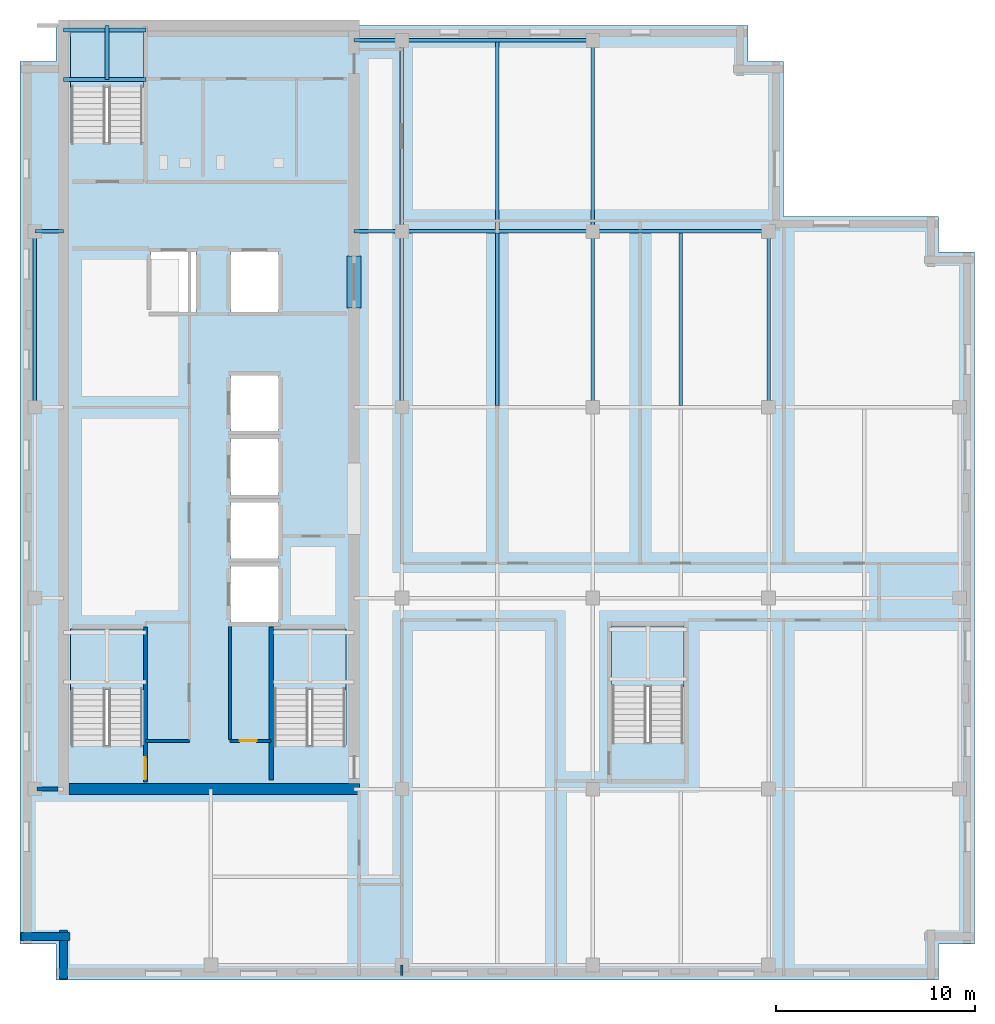
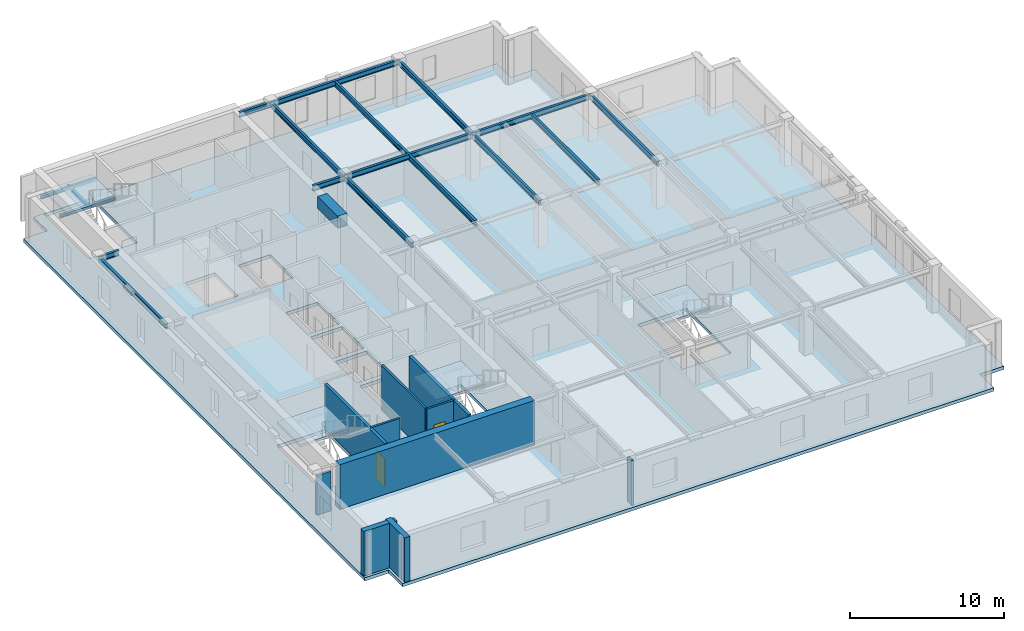
# One storey, part 2 of 11: 19 beams, 10 walls, 5 slabs, 2 doors, 2 openings, 4 elements without a shape of their own.
"""IFC4 building model written with IfcOpenShell, lengths in metres."""

from ifc_helpers import new_model, si_unit, direction, frame, frame_2d, origin, origin_2d, place, context, subcontext, project, spatial, polyline, rectangle, i_section, outline, extrude, material, layer, layer_set, material_profile, profile_set, type_object, element, fill, aggregate, save


model = new_model("IFC4")

# Units and contexts
model_context = context("Model", 3, precision=1e-05, world=origin(), true_north=direction((0.0, 1.0)))
body_context = subcontext(model_context, "Body", "Model", "MODEL_VIEW")
ifc_project = project(units=[si_unit("LENGTHUNIT", "METRE"), si_unit("AREAUNIT", "SQUARE_METRE"), si_unit("VOLUMEUNIT", "CUBIC_METRE"), si_unit("PLANEANGLEUNIT", "RADIAN"), si_unit("MASSUNIT", "GRAM", prefix="KILO")], contexts=[model_context])

# Site, building, storey
site_placement = place(None, origin())
site = spatial("IfcSite", under=ifc_project, at=site_placement, CompositionType="ELEMENT")
building_placement = place(site_placement, origin())
building = spatial("IfcBuilding", under=site, at=building_placement, Name="Norrvale University Quadrangle", CompositionType="ELEMENT")
storey_placement = place(building_placement, frame((0.0, 0.0, 284.800048828125)))
storey = spatial("IfcBuildingStorey", under=building, at=storey_placement, Name="L72", CompositionType="ELEMENT", Elevation=284.800048828125)

# Beams
ifc_material_1 = material(Name="Steel 350W", Category="steel")
ifc_material_profile_1 = material_profile(ifc_material_1, i_section(OverallWidth=0.180908203125, OverallDepth=0.4169921875, WebThickness=0.010986328125, FlangeThickness=0.018310546875, FilletRadius=0.011962890625, at=origin_2d()), Name="Steel 350W")
ifc_profile_set_1 = profile_set([ifc_material_profile_1], Name="Steel 350W")
beam_type_1 = type_object("IfcBeamType", Name="Beam Atrium W410x85", PredefinedType="BEAM", material=ifc_profile_set_1)
beam_1_placement = place(storey_placement, frame((19.199951171875, 37.64990234375, 3.33154296875), z_axis=(1.0, 0.0, 0.0), x_axis=(0.0, 1.0, 0.0)))
element("IfcBeam", 1, at=beam_1_placement, inside=storey, type_object=beam_type_1, Name="Beam Atrium W410x85 BM-L72-GX013", PredefinedType="BEAM", context=body_context, shape_type="SweptSolid", body=[
    extrude(i_section(OverallWidth=0.180908203125, OverallDepth=0.4169921875, WebThickness=0.010986328125, FlangeThickness=0.018310546875, FilletRadius=0.011962890625, at=origin_2d()), origin(), (0.0, 0.0, 1.0), 9.60009765625),
])
beam_2_placement = place(storey_placement, frame((28.800048828125, 37.64990234375, 3.33154296875), z_axis=(1.0, 0.0, 0.0), x_axis=(0.0, 1.0, 0.0)))
element("IfcBeam", 2, at=beam_2_placement, inside=storey, type_object=beam_type_1, Name="Beam Atrium W410x85 BM-L72-GX014", PredefinedType="BEAM", context=body_context, shape_type="SweptSolid", body=[
    extrude(i_section(OverallWidth=0.180908203125, OverallDepth=0.4169921875, WebThickness=0.010986328125, FlangeThickness=0.018310546875, FilletRadius=0.011962890625, at=origin_2d()), origin(), (0.0, 0.0, 1.0), 8.849853515625),
])
beam_3_placement = place(storey_placement, frame((19.199951171875, 47.25, 3.33154296875), z_axis=(1.0, 0.0, 0.0), x_axis=(0.0, 1.0, 0.0)))
element("IfcBeam", 3, at=beam_3_placement, inside=storey, type_object=beam_type_1, Name="Beam Atrium W410x85 BM-L72-GX015", PredefinedType="BEAM", context=body_context, shape_type="SweptSolid", body=[
    extrude(i_section(OverallWidth=0.180908203125, OverallDepth=0.4169921875, WebThickness=0.010986328125, FlangeThickness=0.018310546875, FilletRadius=0.011962890625, at=origin_2d()), origin(), (0.0, 0.0, 1.0), 9.60009765625),
])
for number, where, z_axis, x_axis, name in (
    (4, (0.75, 28.800048828125, 3.33154296875), (0.0, 1.0, 0.0), (-1.0, 0.0, 0.0), "Beam Atrium W410x85 BM-L72-GY018"),
    (5, (19.199951171875, 28.800048828125, 3.33154296875), (0.0, 1.0, 0.0), (-1.0, 0.0, 0.0), "Beam Atrium W410x85 BM-L72-GY022"),
):
    element("IfcBeam", number, at=place(storey_placement, frame(where, z_axis=z_axis, x_axis=x_axis)), inside=storey, type_object=beam_type_1, Name=name, PredefinedType="BEAM", context=body_context, shape_type="SweptSolid", body=[
        extrude(i_section(OverallWidth=0.180908203125, OverallDepth=0.4169921875, WebThickness=0.010986328125, FlangeThickness=0.018310546875, FilletRadius=0.011962890625, at=origin_2d()), origin(), (0.0, 0.0, 1.0), 8.849853515625),
    ])
beam_4_placement = place(storey_placement, frame((19.199951171875, 37.64990234375, 3.33154296875), z_axis=(0.0, 1.0, 0.0), x_axis=(-1.0, 0.0, 0.0)))
element("IfcBeam", 6, at=beam_4_placement, inside=storey, type_object=beam_type_1, Name="Beam Atrium W410x85 BM-L72-GY023", PredefinedType="BEAM", context=body_context, shape_type="SweptSolid", body=[
    extrude(i_section(OverallWidth=0.180908203125, OverallDepth=0.4169921875, WebThickness=0.010986328125, FlangeThickness=0.018310546875, FilletRadius=0.011962890625, at=origin_2d()), origin(), (0.0, 0.0, 1.0), 9.60009765625),
])
beam_5_placement = place(storey_placement, frame((28.800048828125, 28.800048828125, 3.33154296875), z_axis=(0.0, 1.0, 0.0), x_axis=(-1.0, 0.0, 0.0)))
element("IfcBeam", 7, at=beam_5_placement, inside=storey, type_object=beam_type_1, Name="Beam Atrium W410x85 BM-L72-GY027", PredefinedType="BEAM", context=body_context, shape_type="SweptSolid", body=[
    extrude(i_section(OverallWidth=0.180908203125, OverallDepth=0.4169921875, WebThickness=0.010986328125, FlangeThickness=0.018310546875, FilletRadius=0.011962890625, at=origin_2d()), origin(), (0.0, 0.0, 1.0), 8.849853515625),
])
beam_6_placement = place(storey_placement, frame((28.800048828125, 37.64990234375, 3.33154296875), z_axis=(0.0, 1.0, 0.0), x_axis=(-1.0, 0.0, 0.0)))
element("IfcBeam", 8, at=beam_6_placement, inside=storey, type_object=beam_type_1, Name="Beam Atrium W410x85 BM-L72-GY028", PredefinedType="BEAM", context=body_context, shape_type="SweptSolid", body=[
    extrude(i_section(OverallWidth=0.180908203125, OverallDepth=0.4169921875, WebThickness=0.010986328125, FlangeThickness=0.018310546875, FilletRadius=0.011962890625, at=origin_2d()), origin(), (0.0, 0.0, 1.0), 9.60009765625),
])
beam_7_placement = place(storey_placement, frame((37.64990234375, 28.800048828125, 3.33154296875), z_axis=(0.0, 1.0, 0.0), x_axis=(-1.0, 0.0, 0.0)))
element("IfcBeam", 9, at=beam_7_placement, inside=storey, type_object=beam_type_1, Name="Beam Atrium W410x85 BM-L72-GY032", PredefinedType="BEAM", context=body_context, shape_type="SweptSolid", body=[
    extrude(i_section(OverallWidth=0.180908203125, OverallDepth=0.4169921875, WebThickness=0.010986328125, FlangeThickness=0.018310546875, FilletRadius=0.011962890625, at=origin_2d()), origin(), (0.0, 0.0, 1.0), 8.849853515625),
])
beam_8_placement = place(storey_placement, frame((0.75, 37.64990234375, 3.33154296875), z_axis=(1.0, 0.0, 0.0), x_axis=(0.0, 1.0, 0.0)))
element("IfcBeam", 10, at=beam_8_placement, inside=storey, type_object=beam_type_1, Name="Beam Atrium W410x85 BM-L72-GCW041", PredefinedType="BEAM", context=body_context, shape_type="SweptSolid", body=[
    extrude(i_section(OverallWidth=0.180908203125, OverallDepth=0.4169921875, WebThickness=0.010986328125, FlangeThickness=0.018310546875, FilletRadius=0.011962890625, at=origin_2d()), origin(), (0.0, 0.0, 1.0), 1.449951171875),
])
for number, where, z_axis, x_axis, name in (
    (11, (16.800048828125, 37.64990234375, 3.33154296875), (1.0, 0.0, 0.0), (0.0, 1.0, 0.0), "Beam Atrium W410x85 BM-L72-GCE042"),
    (12, (16.800048828125, 47.25, 3.33154296875), (1.0, 0.0, 0.0), (0.0, 1.0, 0.0), "Beam Atrium W410x85 BM-L72-GCE043"),
):
    element("IfcBeam", number, at=place(storey_placement, frame(where, z_axis=z_axis, x_axis=x_axis)), inside=storey, type_object=beam_type_1, Name=name, PredefinedType="BEAM", context=body_context, shape_type="SweptSolid", body=[
        extrude(i_section(OverallWidth=0.180908203125, OverallDepth=0.4169921875, WebThickness=0.010986328125, FlangeThickness=0.018310546875, FilletRadius=0.011962890625, at=origin_2d()), origin(), (0.0, 0.0, 1.0), 2.39990234375),
    ])
ifc_material_2 = material(Name="Concrete C80/95", Category="concrete")
ifc_material_profile_2 = material_profile(ifc_material_2, rectangle(XDim=0.699951171875, YDim=0.949951171875, at=origin_2d()), Name="Concrete C80/95")
ifc_profile_set_2 = profile_set([ifc_material_profile_2], Name="Concrete C80/95")
beam_type_2 = type_object("IfcBeamType", Name="Beam Core Link 700x950", PredefinedType="LINTEL", material=ifc_profile_set_2)
beam_9_placement = place(storey_placement, frame((16.800048828125, 33.800048828125, 3.06494140625), z_axis=(0.0, 1.0, 0.0), x_axis=(-1.0, 0.0, 0.0)))
element("IfcBeam", 13, at=beam_9_placement, inside=storey, type_object=beam_type_2, Name="Core Coupling Lintel Beam L72-2", PredefinedType="LINTEL", context=body_context, shape_type="SweptSolid", body=[
    extrude(rectangle(XDim=0.699951171875, YDim=0.949951171875, at=origin_2d()), origin(), (0.0, 0.0, 1.0), 2.599853515625),
])
ifc_material_profile_3 = material_profile(ifc_material_1, i_section(OverallWidth=0.177978515625, OverallDepth=0.406982421875, WebThickness=0.0078125, FlangeThickness=0.0126953125, FilletRadius=0.011962890625, at=origin_2d()), Name="Steel 350W")
ifc_profile_set_3 = profile_set([ifc_material_profile_3], Name="Steel 350W")
beam_type_3 = type_object("IfcBeamType", Name="Beam Roof Purlin W410x60", PredefinedType="USERDEFINED", material=ifc_profile_set_3)
beam_10_placement = place(storey_placement, frame((24.0, 28.890380859375, 3.33642578125), z_axis=(0.0, 1.0, 0.0), x_axis=(-1.0, 0.0, 0.0)))
element("IfcBeam", 14, at=beam_10_placement, inside=storey, type_object=beam_type_3, Name="Beam Roof Purlin W410x60 BM-L72-J047", ObjectType="PURLIN", PredefinedType="USERDEFINED", context=body_context, shape_type="SweptSolid", body=[
    extrude(i_section(OverallWidth=0.177978515625, OverallDepth=0.406982421875, WebThickness=0.0078125, FlangeThickness=0.0126953125, FilletRadius=0.011962890625, at=origin_2d()), origin(), (0.0, 0.0, 1.0), 8.669189453125),
])
beam_11_placement = place(storey_placement, frame((24.0, 37.740478515625, 3.33642578125), z_axis=(0.0, 1.0, 0.0), x_axis=(-1.0, 0.0, 0.0)))
element("IfcBeam", 15, at=beam_11_placement, inside=storey, type_object=beam_type_3, Name="Beam Roof Purlin W410x60 BM-L72-J048", ObjectType="PURLIN", PredefinedType="USERDEFINED", context=body_context, shape_type="SweptSolid", body=[
    extrude(i_section(OverallWidth=0.177978515625, OverallDepth=0.406982421875, WebThickness=0.0078125, FlangeThickness=0.0126953125, FilletRadius=0.011962890625, at=origin_2d()), origin(), (0.0, 0.0, 1.0), 9.4189453125),
])
beam_12_placement = place(storey_placement, frame((33.22509765625, 28.890380859375, 3.33642578125), z_axis=(0.0, 1.0, 0.0), x_axis=(-1.0, 0.0, 0.0)))
element("IfcBeam", 16, at=beam_12_placement, inside=storey, type_object=beam_type_3, Name="Beam Roof Purlin W410x60 BM-L72-J051", ObjectType="PURLIN", PredefinedType="USERDEFINED", context=body_context, shape_type="SweptSolid", body=[
    extrude(i_section(OverallWidth=0.177978515625, OverallDepth=0.406982421875, WebThickness=0.0078125, FlangeThickness=0.0126953125, FilletRadius=0.011962890625, at=origin_2d()), origin(), (0.0, 0.0, 1.0), 8.669189453125),
])
ifc_material_profile_4 = material_profile(ifc_material_1, i_section(OverallWidth=0.201904296875, OverallDepth=0.2470703125, WebThickness=0.00732421875, FlangeThickness=0.010986328125, FilletRadius=0.011962890625, at=origin_2d()), Name="Steel 350W")
ifc_profile_set_4 = profile_set([ifc_material_profile_4], Name="Steel 350W")
beam_type_4 = type_object("IfcBeamType", Name="Beam Stair W250x49", PredefinedType="BEAM", material=ifc_profile_set_4)
for number, where, z_axis, x_axis, name in (
    (17, (2.199951171875, 45.2900390625, 1.576416015625), (1.0, 0.0, 0.0), (0.0, 1.0, 0.0), "Stair Mid-Landing Front Beam ST-02 L72"),
    (18, (2.199951171875, 47.77001953125, 1.576416015625), (1.0, 0.0, 0.0), (0.0, 1.0, 0.0), "Stair Mid-Landing Rear Beam ST-02 L72"),
):
    element("IfcBeam", number, at=place(storey_placement, frame(where, z_axis=z_axis, x_axis=x_axis)), inside=storey, type_object=beam_type_4, Name=name, PredefinedType="BEAM", context=body_context, shape_type="SweptSolid", body=[
        extrude(i_section(OverallWidth=0.201904296875, OverallDepth=0.2470703125, WebThickness=0.00732421875, FlangeThickness=0.010986328125, FilletRadius=0.011962890625, at=origin_2d()), origin(), (0.0, 0.0, 1.0), 4.14013671875),
    ])
ifc_material_profile_5 = material_profile(ifc_material_1, i_section(OverallWidth=0.202880859375, OverallDepth=0.202880859375, WebThickness=0.007080078125, FlangeThickness=0.010986328125, FilletRadius=0.010009765625, at=origin_2d()), Name="Steel 350W")
ifc_profile_set_5 = profile_set([ifc_material_profile_5], Name="Steel 350W")
beam_type_5 = type_object("IfcBeamType", Name="Beam Trim W200x46", PredefinedType="BEAM", material=ifc_profile_set_5)
beam_13_placement = place(storey_placement, frame((4.375, 45.2900390625, 1.598388671875), z_axis=(0.0, 1.0, 0.0), x_axis=(-1.0, 0.0, 0.0)))
element("IfcBeam", 19, at=beam_13_placement, inside=storey, type_object=beam_type_5, Name="Stair Mid-Landing Cross Beam ST-02 L72", PredefinedType="BEAM", context=body_context, shape_type="SweptSolid", body=[
    extrude(i_section(OverallWidth=0.202880859375, OverallDepth=0.202880859375, WebThickness=0.007080078125, FlangeThickness=0.010986328125, FilletRadius=0.010009765625, at=origin_2d()), origin(), (0.0, 0.0, 1.0), 2.7099609375),
])

# Stair, slab
ifc_material_3 = material(Name="Concrete C40/50", Category="concrete")
stair_type = type_object("IfcStairType", Name="Stair Tower Typ 3800", PredefinedType="TWO_STRAIGHT_RUN_STAIR", material=ifc_material_3)
stair_1_placement = place(storey_placement, origin())
stair_1 = element("IfcStair", 20, at=stair_1_placement, inside=storey, type_object=stair_type, Name="Exit Stair ST-01 L72", PredefinedType="TWO_STRAIGHT_RUN_STAIR")
ifc_layer_1 = layer(ifc_material_3, 0.199951171875, Name="Concrete C40/50")
ifc_layer_set_1 = layer_set([ifc_layer_1], Name="Concrete C40/50")
slab_type_1 = type_object("IfcSlabType", Name="Slab Landing 200", PredefinedType="LANDING", material=ifc_layer_set_1)
slab_1_placement = place(storey_placement, frame((0.0, 0.0, 1.699951171875)))
slab_1 = element("IfcSlab", 21, at=slab_1_placement, type_object=slab_type_1, Name="Exit Stair ST-01 L72 Mid Landing", PredefinedType="LANDING", context=body_context, shape_type="SweptSolid", body=[
    extrude(outline(polyline([(2.550048828125, 14.590087890625), (6.199951171875, 14.590087890625), (6.199951171875, 17.64990234375), (2.550048828125, 17.64990234375), (2.550048828125, 14.590087890625)])), origin(), (0.0, 0.0, 1.0), 0.199951171875),
])
aggregate(stair_1, [slab_1])

stair_2_placement = place(storey_placement, origin())
stair_2 = element("IfcStair", 22, at=stair_2_placement, inside=storey, type_object=stair_type, Name="Exit Stair ST-02 L72", PredefinedType="TWO_STRAIGHT_RUN_STAIR")
slab_2_placement = place(storey_placement, frame((0.0, 0.0, 1.699951171875)))
slab_2 = element("IfcSlab", 23, at=slab_2_placement, type_object=slab_type_1, Name="Exit Stair ST-02 L72 Mid Landing", PredefinedType="LANDING", context=body_context, shape_type="SweptSolid", body=[
    extrude(outline(polyline([(2.550048828125, 44.889892578125), (6.199951171875, 44.889892578125), (6.199951171875, 47.949951171875), (2.550048828125, 47.949951171875), (2.550048828125, 44.889892578125)])), origin(), (0.0, 0.0, 1.0), 0.199951171875),
])
aggregate(stair_2, [slab_2])

stair_3_placement = place(storey_placement, origin())
stair_3 = element("IfcStair", 24, at=stair_3_placement, inside=storey, type_object=stair_type, Name="Exit Stair ST-03 L72", PredefinedType="TWO_STRAIGHT_RUN_STAIR")
slab_3_placement = place(storey_placement, frame((0.0, 0.0, 1.699951171875)))
slab_3 = element("IfcSlab", 25, at=slab_3_placement, type_object=slab_type_1, Name="Exit Stair ST-03 L72 Mid Landing", PredefinedType="LANDING", context=body_context, shape_type="SweptSolid", body=[
    extrude(outline(polyline([(12.75, 14.590087890625), (16.39990234375, 14.590087890625), (16.39990234375, 17.64990234375), (12.75, 17.64990234375), (12.75, 14.590087890625)])), origin(), (0.0, 0.0, 1.0), 0.199951171875),
])
aggregate(stair_3, [slab_3])

stair_4_placement = place(storey_placement, origin())
stair_4 = element("IfcStair", 26, at=stair_4_placement, inside=storey, type_object=stair_type, Name="Exit Stair ST-04 L72", PredefinedType="TWO_STRAIGHT_RUN_STAIR")
slab_4_placement = place(storey_placement, frame((0.0, 0.0, 1.699951171875)))
slab_4 = element("IfcSlab", 27, at=slab_4_placement, type_object=slab_type_1, Name="Exit Stair ST-04 L72 Mid Landing", PredefinedType="LANDING", context=body_context, shape_type="SweptSolid", body=[
    extrude(outline(polyline([(29.75, 14.739990234375), (33.39990234375, 14.739990234375), (33.39990234375, 17.800048828125), (29.75, 17.800048828125), (29.75, 14.739990234375)])), origin(), (0.0, 0.0, 1.0), 0.199951171875),
])
aggregate(stair_4, [slab_4])

# Slab
ifc_layer_2 = layer(ifc_material_3, 0.260009765625, Name="Concrete C40/50")
ifc_layer_set_2 = layer_set([ifc_layer_2], Name="Concrete C40/50")
slab_type_2 = type_object("IfcSlabType", Name="Slab Tower Typ 260", PredefinedType="FLOOR", material=ifc_layer_set_2)
slab_5_placement = place(storey_placement, frame((0.0, 0.0, -0.260009765625)))
element("IfcSlab", 28, at=slab_5_placement, inside=storey, type_object=slab_type_2, Name="Tower L72 Floor Slab", PredefinedType="FLOOR", context=body_context, shape_type="SweptSolid", body=[
    extrude(outline(polyline([(1.800048828125, 0.0), (46.199951171875, 0.0), (46.199951171875, 1.800048828125), (48.0, 1.800048828125), (48.0, 36.60009765625), (46.199951171875, 36.60009765625), (46.199951171875, 38.39990234375), (38.39990234375, 38.39990234375), (38.39990234375, 46.199951171875), (36.60009765625, 46.199951171875), (36.60009765625, 48.0), (1.800048828125, 48.0), (1.800048828125, 46.199951171875), (0.0, 46.199951171875), (0.0, 1.800048828125), (1.800048828125, 1.800048828125), (1.800048828125, 0.0)]), holes=[polyline([(2.550048828125, 11.81005859375), (6.199951171875, 11.81005859375), (6.199951171875, 17.64990234375), (2.550048828125, 17.64990234375), (2.550048828125, 11.81005859375)]), polyline([(2.550048828125, 42.110107421875), (6.199951171875, 42.110107421875), (6.199951171875, 47.949951171875), (2.550048828125, 47.949951171875), (2.550048828125, 42.110107421875)]), polyline([(12.75, 11.81005859375), (16.39990234375, 11.81005859375), (16.39990234375, 17.64990234375), (12.75, 17.64990234375), (12.75, 11.81005859375)]), polyline([(29.75, 11.9599609375), (33.39990234375, 11.9599609375), (33.39990234375, 17.800048828125), (29.75, 17.800048828125), (29.75, 11.9599609375)]), polyline([(10.60009765625, 18.0), (13.0, 18.0), (13.0, 20.800048828125), (10.60009765625, 20.800048828125), (10.60009765625, 18.0)]), polyline([(10.60009765625, 21.199951171875), (13.0, 21.199951171875), (13.0, 24.0), (10.60009765625, 24.0), (10.60009765625, 21.199951171875)]), polyline([(10.60009765625, 24.39990234375), (13.0, 24.39990234375), (13.0, 27.199951171875), (10.60009765625, 27.199951171875), (10.60009765625, 24.39990234375)]), polyline([(10.60009765625, 27.60009765625), (13.0, 27.60009765625), (13.0, 30.39990234375), (10.60009765625, 30.39990234375), (10.60009765625, 27.60009765625)]), polyline([(6.60009765625, 33.60009765625), (8.85009765625, 33.60009765625), (8.85009765625, 36.60009765625), (6.60009765625, 36.60009765625), (6.60009765625, 33.60009765625)]), polyline([(10.60009765625, 33.60009765625), (13.0, 33.60009765625), (13.0, 36.60009765625), (10.60009765625, 36.60009765625), (10.60009765625, 33.60009765625)])]), origin(), (0.0, 0.0, 1.0), 0.260009765625),
])

# Walls
ifc_material_4 = material(Name="Concrete C60/75", Category="concrete")
ifc_layer_3 = layer(ifc_material_4, 0.550048828125, Name="Concrete C60/75")
ifc_layer_set_3 = layer_set([ifc_layer_3], Name="Concrete C60/75")
wall_type_1 = type_object("IfcWallType", Name="Wall Core 550", PredefinedType="SHEAR", material=ifc_layer_set_3)
wall_1_placement = place(storey_placement, frame((2.47509765625, 9.60009765625, 0.0), z_axis=(0.0, 0.0, 1.0), x_axis=(1.0, 0.0, 0.0)))
element("IfcWall", 29, at=wall_1_placement, inside=storey, type_object=wall_type_1, Name="Tower Core Shear Wall L72-S", PredefinedType="SHEAR", context=body_context, shape_type="SweptSolid", body=[
    extrude(rectangle(XDim=14.599853515625, YDim=0.550048828125, at=frame_2d((7.2998046875, 0.0))), origin(), (0.0, 0.0, 1.0), 3.5400390625),
])
ifc_material_5 = material(Name="Standard Academic Gypsum Partition")
ifc_layer_4 = layer(ifc_material_5, 0.125, Name="Standard Academic Gypsum Partition")
ifc_layer_set_4 = layer_set([ifc_layer_4], Name="Standard Academic Gypsum Partition")
wall_type_2 = type_object("IfcWallType", Name="Wall Gypsum Academic 125", PredefinedType="PARTITIONING", material=ifc_layer_set_4)
wall_2_placement = place(storey_placement, frame((19.199951171875, 0.219970703125, 0.0), z_axis=(0.0, 0.0, 1.0), x_axis=(0.0, 1.0, 0.0)))
element("IfcWall", 30, at=wall_2_placement, inside=storey, type_object=wall_type_2, Name="Interior Partition WL-L72-SE-W0", PredefinedType="PARTITIONING", context=body_context, shape_type="SweptSolid", body=[
    extrude(rectangle(XDim=0.530029296875, YDim=0.125, at=frame_2d((0.26513671875, 0.0))), origin(), (0.0, 0.0, 1.0), 3.5400390625),
])

# Wall, opening, door
ifc_material_6 = material(Name="Fire-Rated Gypsum Stud Partition")
ifc_layer_5 = layer(ifc_material_6, 0.14990234375, Name="Fire-Rated Gypsum Stud Partition")
ifc_layer_set_5 = layer_set([ifc_layer_5], Name="Fire-Rated Gypsum Stud Partition")
wall_type_3 = type_object("IfcWallType", Name="Wall Gypsum Corridor 150", PredefinedType="PARTITIONING", material=ifc_layer_set_5)
wall_3_placement = place(storey_placement, frame((10.550048828125, 12.02001953125, 0.0), z_axis=(0.0, 0.0, 1.0), x_axis=(1.0, 0.0, 0.0)))
wall_3 = element("IfcWall", 31, at=wall_3_placement, inside=storey, type_object=wall_type_3, Name="Interior Partition WL-L72-SC-NR", PredefinedType="PARTITIONING", context=body_context, shape_type="SweptSolid", body=[
    extrude(rectangle(XDim=2.079833984375, YDim=0.14990234375, at=frame_2d((1.0400390625, 0.0))), origin(), (0.0, 0.0, 1.0), 3.5400390625),
])
opening_1_placement = place(wall_3_placement, frame((0.5, 0.0, 0.0)))
opening_1 = element("IfcOpeningElement", 32, at=opening_1_placement, cuts=wall_3, Name="Opening D10", PredefinedType="OPENING", context=body_context, shape_type="SweptSolid", body=[
    extrude(rectangle(XDim=0.85009765625, YDim=2.10009765625, at=frame_2d((0.425048828125, 1.050048828125))), frame((0.0, 0.0869140625, 0.0), z_axis=(0.0, -1.0, 0.0), x_axis=(1.0, 0.0, 0.0)), (0.0, 0.0, 1.0), 0.173828125),
])
ifc_material_7 = material(Name="Hollow Steel 350W Riser Fire Door", Category="steel")
door_type_1 = type_object("IfcDoorType", Name="Door Riser 850x2100", OperationType="NOTDEFINED", PredefinedType="DOOR", material=ifc_material_7)
door_1_placement = place(opening_1_placement, origin())
door_1 = element("IfcDoor", 33, at=door_1_placement, inside=storey, type_object=door_type_1, Name="Door Riser 850x2100 DR-L72-IDF", OperationType="SINGLE_SWING_RIGHT", OverallHeight=2.10009765625, OverallWidth=0.85009765625, PredefinedType="DOOR", context=body_context, shape_type="SweptSolid", body=[
    extrude(rectangle(XDim=0.85009765625, YDim=2.10009765625, at=frame_2d((0.425048828125, 1.050048828125))), frame((0.0, 0.02490234375, 0.0), z_axis=(0.0, -1.0, 0.0), x_axis=(1.0, 0.0, 0.0)), (0.0, 0.0, 1.0), 0.050048828125),
])
fill(opening_1, door_1)

# Walls
wall_4_placement = place(storey_placement, frame((10.550048828125, 12.094970703125, 0.0), z_axis=(0.0, 0.0, 1.0), x_axis=(0.0, 1.0, 0.0)))
element("IfcWall", 34, at=wall_4_placement, inside=storey, type_object=wall_type_3, Name="Interior Partition WL-L72-SC-WR", PredefinedType="PARTITIONING", context=body_context, shape_type="SweptSolid", body=[
    extrude(rectangle(XDim=5.679931640625, YDim=0.14990234375, at=frame_2d((2.83984375, 0.0))), origin(), (0.0, 0.0, 1.0), 3.5400390625),
])
wall_5_placement = place(storey_placement, frame((6.320068359375, 12.02001953125, 0.0), z_axis=(0.0, 0.0, 1.0), x_axis=(1.0, 0.0, 0.0)))
element("IfcWall", 35, at=wall_5_placement, inside=storey, type_object=wall_type_3, Name="Interior Partition WL-L72-REC-S", PredefinedType="PARTITIONING", context=body_context, shape_type="SweptSolid", body=[
    extrude(rectangle(XDim=2.199951171875, YDim=0.14990234375, at=frame_2d((1.10009765625, 0.0))), origin(), (0.0, 0.0, 1.0), 3.5400390625),
])
ifc_material_8 = material(Name="Concrete Blockwork 20 MPa Rated Wall", Category="masonry")
ifc_layer_6 = layer(ifc_material_8, 0.199951171875, Name="Concrete Blockwork 20 MPa Rated Wall")
ifc_layer_set_6 = layer_set([ifc_layer_6], Name="Concrete Blockwork 20 MPa Rated Wall")
wall_type_4 = type_object("IfcWallType", Name="Wall Lobby 200", PredefinedType="SOLIDWALL", material=ifc_layer_set_6)
wall_6_placement = place(storey_placement, frame((0.85009765625, 9.60009765625, 0.0), z_axis=(0.0, 0.0, 1.0), x_axis=(1.0, 0.0, 0.0)))
element("IfcWall", 36, at=wall_6_placement, inside=storey, type_object=wall_type_4, Name="Interior Partition WL-L72-CWRET-S", PredefinedType="SOLIDWALL", context=body_context, shape_type="SweptSolid", body=[
    extrude(rectangle(XDim=1.06982421875, YDim=0.199951171875, at=frame_2d((0.534912109375, 0.0))), origin(), (0.0, 0.0, 1.0), 3.123046875),
])
ifc_material_9 = material(Name="Red Manganese Brick Masonry", Category="masonry")
ifc_layer_7 = layer(ifc_material_9, 0.39990234375, Name="Red Manganese Brick Masonry")
ifc_layer_set_7 = layer_set([ifc_layer_7], Name="Red Manganese Brick Masonry")
wall_type_5 = type_object("IfcWallType", Name="Wall Red Brick 400", PredefinedType="SOLIDWALL", material=ifc_layer_set_7)
for number, where, z_axis, x_axis, name in (
    (37, (0.0400390625, 2.179931640625, 0.0), (0.0, 0.0, 1.0), (1.0, 0.0, 0.0), "Exterior Brick Facade Wall L72-15.1"),
    (38, (2.179931640625, 2.52001953125, 0.0), (0.0, 0.0, 1.0), (0.0, -1.0, 0.0), "Exterior Brick Facade Wall L72-16.1"),
):
    element("IfcWall", number, at=place(storey_placement, frame(where, z_axis=z_axis, x_axis=x_axis)), inside=storey, type_object=wall_type_5, Name=name, PredefinedType="SOLIDWALL", context=body_context, shape_type="SweptSolid", body=[
        extrude(rectangle(XDim=2.47998046875, YDim=0.39990234375, at=frame_2d((1.239990234375, 0.0))), origin(), (0.0, 0.0, 1.0), 3.5400390625),
    ])

# Wall, opening, door
ifc_material_10 = material(Name="Concrete Blockwork 20 MPa Fire Shaft", Category="masonry")
ifc_layer_8 = layer(ifc_material_10, 0.219970703125, Name="Concrete Blockwork 20 MPa Fire Shaft")
ifc_layer_set_8 = layer_set([ifc_layer_8], Name="Concrete Blockwork 20 MPa Fire Shaft")
wall_type_6 = type_object("IfcWallType", Name="Wall Shaft 220", PredefinedType="SOLIDWALL", material=ifc_layer_set_8)
wall_7_placement = place(storey_placement, frame((6.31005859375, 9.949951171875, 0.0), z_axis=(0.0, 0.0, 1.0), x_axis=(0.0, 1.0, 0.0)))
wall_7 = element("IfcWall", 39, at=wall_7_placement, inside=storey, type_object=wall_type_6, Name="Stair ST-01 East Shaft Wall L72", PredefinedType="SOLIDWALL", context=body_context, shape_type="SweptSolid", body=[
    extrude(rectangle(XDim=7.81005859375, YDim=0.219970703125, at=frame_2d((3.905029296875, 0.0))), origin(), (0.0, 0.0, 1.0), 3.5400390625),
])
opening_2_placement = place(wall_7_placement, frame((0.139892578125, 0.0, 0.0)))
opening_2 = element("IfcOpeningElement", 40, at=opening_2_placement, cuts=wall_7, Name="Opening D02", PredefinedType="OPENING", context=body_context, shape_type="SweptSolid", body=[
    extrude(rectangle(XDim=1.10009765625, YDim=2.199951171875, at=frame_2d((0.550048828125, 1.10009765625))), frame((0.0, 0.1220703125, 0.0), z_axis=(0.0, -1.0, 0.0), x_axis=(1.0, 0.0, 0.0)), (0.0, 0.0, 1.0), 0.243896484375),
])
ifc_material_11 = material(Name="Hollow Steel 350W Fire Door", Category="steel")
door_type_2 = type_object("IfcDoorType", Name="Door Stair Exit 1100x2200", OperationType="NOTDEFINED", PredefinedType="DOOR", material=ifc_material_11)
door_2_placement = place(opening_2_placement, origin())
door_2 = element("IfcDoor", 41, at=door_2_placement, inside=storey, type_object=door_type_2, Name="Door Stair Exit 1100x2200 DR-L72-ST01", OperationType="SINGLE_SWING_LEFT", OverallHeight=2.199951171875, OverallWidth=1.10009765625, PredefinedType="DOOR", context=body_context, shape_type="SweptSolid", body=[
    extrude(rectangle(XDim=1.10009765625, YDim=2.199951171875, at=frame_2d((0.550048828125, 1.10009765625))), frame((0.0, 0.02490234375, 0.0), z_axis=(0.0, -1.0, 0.0), x_axis=(1.0, 0.0, 0.0)), (0.0, 0.0, 1.0), 0.050048828125),
])
fill(opening_2, door_2)

# Wall
wall_8_placement = place(storey_placement, frame((12.639892578125, 10.050048828125, 0.0), z_axis=(0.0, 0.0, 1.0), x_axis=(0.0, 1.0, 0.0)))
element("IfcWall", 42, at=wall_8_placement, inside=storey, type_object=wall_type_6, Name="Stair ST-03 West Shaft Wall L72", PredefinedType="SOLIDWALL", context=body_context, shape_type="SweptSolid", body=[
    extrude(rectangle(XDim=7.7099609375, YDim=0.219970703125, at=frame_2d((3.85498046875, 0.0))), origin(), (0.0, 0.0, 1.0), 3.5400390625),
])

save(model, "model.ifc")
